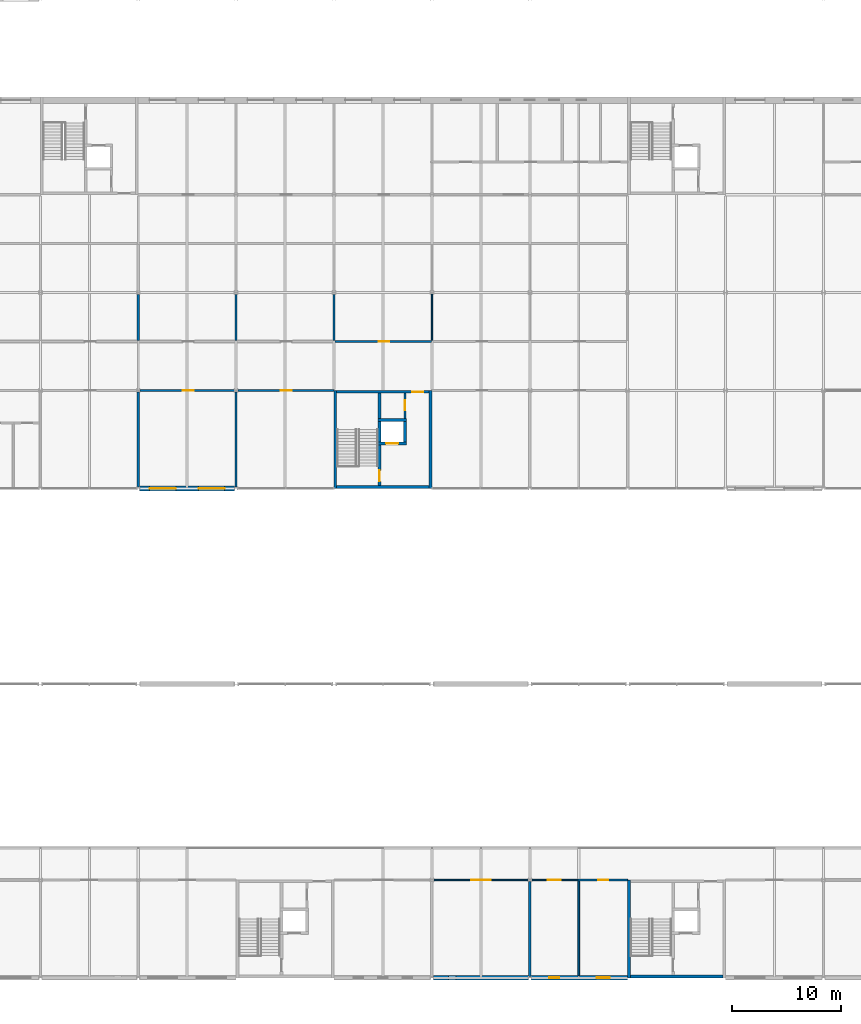
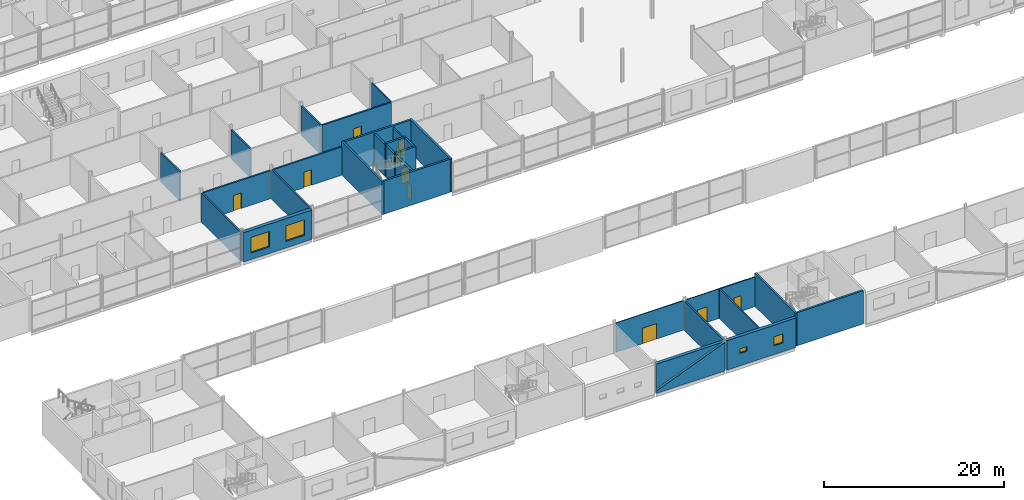
# One storey, part 68 of 97: 29 walls, 10 doors, 4 windows, 14 openings.
"""IFC4 building model written with IfcOpenShell, lengths in metres."""

from ifc_helpers import new_model, si_unit, direction, frame, frame_2d, origin, place, context, subcontext, project, spatial, polyline, rectangle, outline, extrude, material, layer, layer_set, type_object, element, fill, save


model = new_model("IFC4")

# Units and contexts
model_context = context("Model", 3, precision=1e-05, world=origin(), true_north=direction((0.0, 1.0)))
body_context = subcontext(model_context, "Body", "Model", "MODEL_VIEW")
ifc_project = project(units=[si_unit("LENGTHUNIT", "METRE"), si_unit("AREAUNIT", "SQUARE_METRE"), si_unit("VOLUMEUNIT", "CUBIC_METRE"), si_unit("PLANEANGLEUNIT", "RADIAN"), si_unit("MASSUNIT", "GRAM", prefix="KILO")], contexts=[model_context])

# Site, building, storey
site_placement = place(None, origin())
site = spatial("IfcSite", under=ifc_project, at=site_placement, CompositionType="ELEMENT")
building_placement = place(site_placement, origin())
building = spatial("IfcBuilding", under=site, at=building_placement, Name="Corbel Yard City Hall", CompositionType="ELEMENT")
storey_placement = place(building_placement, frame((0.0, 0.0, 6.0)))
storey = spatial("IfcBuildingStorey", under=building, at=storey_placement, Name="L01", CompositionType="ELEMENT", Elevation=6.0)

# Walls
ifc_material_1 = material(Name="Concrete N50 (50 MPa)", Category="concrete")
ifc_layer_1 = layer(ifc_material_1, 0.25)
ifc_layer_set_1 = layer_set([ifc_layer_1], Name="Concrete N50 (50 MPa)")
wall_type_1 = type_object("IfcWallType", Name="Core cell wall 250", PredefinedType="SHEAR", material=ifc_layer_set_1)
wall_1_placement = place(storey_placement, frame((81.125, 0.0, 0.0), z_axis=(0.0, 0.0, 1.0), x_axis=(0.0, 1.0, 0.0)))
element("IfcWall", 1, at=wall_1_placement, inside=storey, type_object=wall_type_1, Name="Core PC-S2 west wall", PredefinedType="SHEAR", context=body_context, shape_type="SweptSolid", body=[
    extrude(rectangle(XDim=9.0, YDim=0.25, at=frame_2d((4.5, 0.0))), origin(), (0.0, 0.0, 1.0), 4.5),
])
wall_2_placement = place(storey_placement, frame((81.25, 0.125, 0.0), z_axis=(0.0, 0.0, 1.0), x_axis=(1.0, 0.0, 0.0)))
element("IfcWall", 2, at=wall_2_placement, inside=storey, type_object=wall_type_1, Name="Core PC-S2 south wall", PredefinedType="SHEAR", context=body_context, shape_type="SweptSolid", body=[
    extrude(rectangle(XDim=8.5, YDim=0.25, at=frame_2d((4.25, 0.0))), origin(), (0.0, 0.0, 1.0), 4.5),
])
for number, where, z_axis, x_axis, name in (
    (3, (54.125, 45.0, 0.0), (0.0, 0.0, 1.0), (0.0, 1.0, 0.0), "Core PC-M2 west wall"),
    (4, (62.875, 45.0, 0.0), (0.0, 0.0, 1.0), (0.0, 1.0, 0.0), "Core PC-M2 east wall"),
):
    element("IfcWall", number, at=place(storey_placement, frame(where, z_axis=z_axis, x_axis=x_axis)), inside=storey, type_object=wall_type_1, Name=name, PredefinedType="SHEAR", context=body_context, shape_type="SweptSolid", body=[
        extrude(rectangle(XDim=9.0, YDim=0.25, at=frame_2d((4.5, 0.0))), origin(), (0.0, 0.0, 1.0), 4.5),
    ])
wall_3_placement = place(storey_placement, frame((54.25, 45.125, 0.0), z_axis=(0.0, 0.0, 1.0), x_axis=(1.0, 0.0, 0.0)))
element("IfcWall", 5, at=wall_3_placement, inside=storey, type_object=wall_type_1, Name="Core PC-M2 south wall", PredefinedType="SHEAR", context=body_context, shape_type="SweptSolid", body=[
    extrude(rectangle(XDim=8.5, YDim=0.25, at=frame_2d((4.25, 0.0))), origin(), (0.0, 0.0, 1.0), 4.5),
])

# Wall, opening, door
wall_4_placement = place(storey_placement, frame((54.25, 53.875, 0.0), z_axis=(0.0, 0.0, 1.0), x_axis=(1.0, 0.0, 0.0)))
wall_4 = element("IfcWall", 6, at=wall_4_placement, inside=storey, type_object=wall_type_1, Name="Core PC-M2 north wall", PredefinedType="SHEAR", context=body_context, shape_type="SweptSolid", body=[
    extrude(rectangle(XDim=8.5, YDim=0.25, at=frame_2d((4.25, 0.0))), origin(), (0.0, 0.0, 1.0), 4.5),
])
opening_1_placement = place(wall_4_placement, frame((6.949951171875, 0.0, 0.0)))
opening_1 = element("IfcOpeningElement", 7, at=opening_1_placement, cuts=wall_4, Name="Opening L01-062", PredefinedType="OPENING", context=body_context, shape_type="SweptSolid", body=[
    extrude(rectangle(XDim=1.0, YDim=2.10009765625, at=frame_2d((0.5, 1.050048828125))), frame((0.0, 0.135009765625, 0.0), z_axis=(0.0, -1.0, 0.0), x_axis=(1.0, 0.0, 0.0)), (0.0, 0.0, 1.0), 0.27001953125),
])
ifc_material_2 = material(Name="Steel Grade G250", Category="steel")
door_type_1 = type_object("IfcDoorType", Name="FS1", OperationType="SINGLE_SWING_LEFT", PredefinedType="DOOR", material=ifc_material_2)
door_1_placement = place(opening_1_placement, frame((1.0, 0.0, 0.0), z_axis=(0.0, 0.0, 1.0), x_axis=(-1.0, 0.0, 0.0)))
door_1 = element("IfcDoor", 8, at=door_1_placement, inside=storey, type_object=door_type_1, Name="Door Lift Lobby", OperationType="SINGLE_SWING_RIGHT", OverallHeight=2.10009765625, OverallWidth=1.0, PredefinedType="DOOR", context=body_context, shape_type="SweptSolid", body=[
    extrude(rectangle(XDim=1.0, YDim=2.10009765625, at=frame_2d((0.5, 1.050048828125))), frame((0.0, 0.02490234375, 0.0), z_axis=(0.0, -1.0, 0.0), x_axis=(1.0, 0.0, 0.0)), (0.0, 0.0, 1.0), 0.050048828125),
])
fill(opening_1, door_1)

# Wall, openings, windows
ifc_material_3 = material(Name="Sandstone cladding", Category="masonry")
ifc_layer_2 = layer(ifc_material_3, 0.06005859375)
ifc_material_4 = material(Name="Air cavity", Category="air")
ifc_layer_3 = layer(ifc_material_4, 0.0400390625)
ifc_material_5 = material(Name="Concrete N40 (40 MPa)", Category="concrete")
ifc_layer_4 = layer(ifc_material_5, 0.25)
ifc_material_6 = material(Name="Mineral wool", Category="insulation")
ifc_layer_5 = layer(ifc_material_6, 0.10009765625)
ifc_layer_set_2 = layer_set([ifc_layer_2, ifc_layer_3, ifc_layer_4, ifc_layer_5], Name="Concrete N40 (40 MPa)")
wall_type_2 = type_object("IfcWallType", Name="EW2", PredefinedType="SOLIDWALL", material=ifc_layer_set_2)
wall_5_placement = place(storey_placement, frame((36.1298828125, 45.0, 0.0), z_axis=(0.0, 0.0, 1.0), x_axis=(1.0, 0.0, 0.0)))
wall_5 = element("IfcWall", 9, at=wall_5_placement, inside=storey, type_object=wall_type_2, Name="Entrance pier wall", PredefinedType="SOLIDWALL", context=body_context, shape_type="SweptSolid", body=[
    extrude(rectangle(XDim=8.740234375, YDim=0.449951171875, at=frame_2d((4.3701171875, 0.0))), origin(), (0.0, 0.0, 1.0), 3.990966796875),
])
opening_2_placement = place(wall_5_placement, frame((0.919921875, 0.0, 0.89990234375)))
opening_2 = element("IfcOpeningElement", 10, at=opening_2_placement, cuts=wall_5, Name="Opening WN8", PredefinedType="OPENING", context=body_context, shape_type="SweptSolid", body=[
    extrude(rectangle(XDim=2.39990234375, YDim=2.10009765625, at=frame_2d((1.199951171875, 1.050048828125))), frame((0.0, 0.23486328125, 0.0), z_axis=(0.0, -1.0, 0.0), x_axis=(1.0, 0.0, 0.0)), (0.0, 0.0, 1.0), 0.469970703125),
])
opening_3_placement = place(wall_5_placement, frame((5.419921875, 0.0, 0.89990234375)))
opening_3 = element("IfcOpeningElement", 11, at=opening_3_placement, cuts=wall_5, Name="Opening WN8", PredefinedType="OPENING", context=body_context, shape_type="SweptSolid", body=[
    extrude(rectangle(XDim=2.39990234375, YDim=2.10009765625, at=frame_2d((1.199951171875, 1.050048828125))), frame((0.0, 0.23486328125, 0.0), z_axis=(0.0, -1.0, 0.0), x_axis=(1.0, 0.0, 0.0)), (0.0, 0.0, 1.0), 0.469970703125),
])
ifc_material_7 = material(Name="Aluminium frame, double glazed low-e glass", Category="aluminium")
window_type_1 = type_object("IfcWindowType", Name="WN8", PartitioningType="SINGLE_PANEL", PredefinedType="WINDOW", material=ifc_material_7)
window_1_placement = place(opening_2_placement, origin())
window_1 = element("IfcWindow", 12, at=window_1_placement, inside=storey, type_object=window_type_1, Name="Window WN8 L01", OverallHeight=2.10009765625, OverallWidth=2.39990234375, PartitioningType="SINGLE_PANEL", PredefinedType="WINDOW", context=body_context, shape_type="SweptSolid", body=[
    extrude(rectangle(XDim=2.39990234375, YDim=2.10009765625, at=frame_2d((1.199951171875, 1.050048828125))), frame((0.0, 0.030029296875, 0.0), z_axis=(0.0, -1.0, 0.0), x_axis=(1.0, 0.0, 0.0)), (0.0, 0.0, 1.0), 0.06005859375),
])
fill(opening_2, window_1)
window_2_placement = place(opening_3_placement, origin())
window_2 = element("IfcWindow", 13, at=window_2_placement, inside=storey, type_object=window_type_1, Name="Window WN8 L01", OverallHeight=2.10009765625, OverallWidth=2.39990234375, PartitioningType="SINGLE_PANEL", PredefinedType="WINDOW", context=body_context, shape_type="SweptSolid", body=[
    extrude(rectangle(XDim=2.39990234375, YDim=2.10009765625, at=frame_2d((1.199951171875, 1.050048828125))), frame((0.0, 0.030029296875, 0.0), z_axis=(0.0, -1.0, 0.0), x_axis=(1.0, 0.0, 0.0)), (0.0, 0.0, 1.0), 0.06005859375),
])
fill(opening_3, window_2)

# Walls
ifc_material_8 = material(Name="Gypsum plasterboard", Category="gypsum")
ifc_layer_6 = layer(ifc_material_8, 0.031982421875)
ifc_layer_7 = layer(ifc_material_4, 0.133056640625)
ifc_material_9 = material(Name="Concrete block", Category="concrete")
ifc_layer_8 = layer(ifc_material_9, 0.18994140625)
ifc_material_10 = material(Name="Cement render", Category="render")
ifc_layer_9 = layer(ifc_material_10, 0.0400390625)
ifc_material_11 = material(Name="Acoustic sealant", Category="sealant")
ifc_layer_10 = layer(ifc_material_11, 0.0048828125)
ifc_layer_set_3 = layer_set([ifc_layer_6, ifc_layer_7, ifc_layer_8, ifc_layer_9, ifc_layer_10], Name="Concrete block")
wall_type_3 = type_object("IfcWallType", Name="EW3", PredefinedType="SOLIDWALL", material=ifc_layer_set_3)
wall_6_placement = place(storey_placement, frame((63.1298828125, 0.0, 0.0), z_axis=(0.0, 0.0, 1.0), x_axis=(1.0, 0.0, 0.0)))
element("IfcWall", 14, at=wall_6_placement, inside=storey, type_object=wall_type_3, Name="Acoustic wall", PredefinedType="SOLIDWALL", context=body_context, shape_type="SweptSolid", body=[
    extrude(outline(polyline([(8.739990234375, 0.0), (0.0, 0.0), (0.0, 0.5), (0.048095703125, 0.379638671875), (8.739990234375, 3.8603515625), (8.739990234375, 0.0)])), frame((0.0, 0.199951171875, 0.0), z_axis=(0.0, -1.0, 0.0), x_axis=(1.0, 0.0, 0.0)), (0.0, 0.0, 1.0), 0.39990234375),
])
wall_7_placement = place(storey_placement, frame((63.1298828125, 0.0, 0.0), z_axis=(0.0, 0.0, 1.0), x_axis=(1.0, 0.0, 0.0)))
element("IfcWall", 15, at=wall_7_placement, inside=storey, type_object=wall_type_3, Name="Acoustic wall", PredefinedType="SOLIDWALL", context=body_context, shape_type="SweptSolid", body=[
    extrude(outline(polyline([(0.0, 3.990966796875), (8.369140625, 3.990966796875), (0.0, 0.6396484375), (0.0, 3.990966796875)])), frame((0.0, 0.199951171875, 0.0), z_axis=(0.0, -1.0, 0.0), x_axis=(1.0, 0.0, 0.0)), (0.0, 0.0, 1.0), 0.39990234375),
])

# Wall, openings, windows
wall_8_placement = place(storey_placement, frame((72.1298828125, 0.0, 0.0), z_axis=(0.0, 0.0, 1.0), x_axis=(1.0, 0.0, 0.0)))
wall_8 = element("IfcWall", 16, at=wall_8_placement, inside=storey, type_object=wall_type_3, Name="Acoustic wall", PredefinedType="SOLIDWALL", context=body_context, shape_type="SweptSolid", body=[
    extrude(rectangle(XDim=8.8701171875, YDim=0.39990234375, at=frame_2d((4.43505859375, 0.0))), origin(), (0.0, 0.0, 1.0), 3.990966796875),
])
opening_4_placement = place(wall_8_placement, frame((1.669921875, 0.0, 1.699951171875)))
opening_4 = element("IfcOpeningElement", 17, at=opening_4_placement, cuts=wall_8, Name="Opening WN10", PredefinedType="OPENING", context=body_context, shape_type="SweptSolid", body=[
    extrude(rectangle(XDim=0.89990234375, YDim=0.60009765625, at=frame_2d((0.449951171875, 0.300048828125))), frame((0.0, 0.2099609375, 0.0), z_axis=(0.0, -1.0, 0.0), x_axis=(1.0, 0.0, 0.0)), (0.0, 0.0, 1.0), 0.419921875),
])
opening_5_placement = place(wall_8_placement, frame((6.02001953125, 0.0, 1.199951171875)))
opening_5 = element("IfcOpeningElement", 18, at=opening_5_placement, cuts=wall_8, Name="Opening WN13", PredefinedType="OPENING", context=body_context, shape_type="SweptSolid", body=[
    extrude(rectangle(XDim=1.199951171875, YDim=1.199951171875, at=frame_2d((0.60009765625, 0.60009765625))), frame((0.0, 0.2099609375, 0.0), z_axis=(0.0, -1.0, 0.0), x_axis=(1.0, 0.0, 0.0)), (0.0, 0.0, 1.0), 0.419921875),
])
ifc_material_12 = material(Name="Aluminium frame, obscure laminated glass", Category="aluminium")
window_type_2 = type_object("IfcWindowType", Name="WN10", PartitioningType="SINGLE_PANEL", PredefinedType="WINDOW", material=ifc_material_12)
window_3_placement = place(opening_4_placement, origin())
window_3 = element("IfcWindow", 19, at=window_3_placement, inside=storey, type_object=window_type_2, Name="Window WN10 L01", OverallHeight=0.60009765625, OverallWidth=0.89990234375, PartitioningType="SINGLE_PANEL", PredefinedType="WINDOW", context=body_context, shape_type="SweptSolid", body=[
    extrude(rectangle(XDim=0.89990234375, YDim=0.60009765625, at=frame_2d((0.449951171875, 0.300048828125))), frame((0.0, 0.030029296875, 0.0), z_axis=(0.0, -1.0, 0.0), x_axis=(1.0, 0.0, 0.0)), (0.0, 0.0, 1.0), 0.06005859375),
])
fill(opening_4, window_3)
window_type_3 = type_object("IfcWindowType", Name="WN13", PartitioningType="SINGLE_PANEL", PredefinedType="WINDOW", material=ifc_material_7)
window_4_placement = place(opening_5_placement, origin())
window_4 = element("IfcWindow", 20, at=window_4_placement, inside=storey, type_object=window_type_3, Name="Window WN13 L01", OverallHeight=1.199951171875, OverallWidth=1.199951171875, PartitioningType="SINGLE_PANEL", PredefinedType="WINDOW", context=body_context, shape_type="SweptSolid", body=[
    extrude(rectangle(XDim=1.199951171875, YDim=1.199951171875, at=frame_2d((0.60009765625, 0.60009765625))), frame((0.0, 0.030029296875, 0.0), z_axis=(0.0, -1.0, 0.0), x_axis=(1.0, 0.0, 0.0)), (0.0, 0.0, 1.0), 0.06005859375),
])
fill(opening_5, window_4)

# Wall, opening, door
ifc_layer_11 = layer(ifc_material_5, 0.25)
ifc_layer_set_4 = layer_set([ifc_layer_11], Name="Concrete N40 (40 MPa)")
wall_type_4 = type_object("IfcWallType", Name="IW2", PredefinedType="SOLIDWALL", material=ifc_layer_set_4)
wall_9_placement = place(storey_placement, frame((58.175048828125, 45.25, 0.0), z_axis=(0.0, 0.0, 1.0), x_axis=(0.0, 1.0, 0.0)))
wall_9 = element("IfcWall", 21, at=wall_9_placement, inside=storey, type_object=wall_type_4, Name="Stair enclosure wall", PredefinedType="SOLIDWALL", context=body_context, shape_type="SweptSolid", body=[
    extrude(rectangle(XDim=8.5, YDim=0.25, at=frame_2d((4.25, 0.0))), origin(), (0.0, 0.0, 1.0), 4.25),
])
opening_6_placement = place(wall_9_placement, frame((0.39990234375, 0.0, 0.0)))
opening_6 = element("IfcOpeningElement", 22, at=opening_6_placement, cuts=wall_9, Name="Opening L01-061", PredefinedType="OPENING", context=body_context, shape_type="SweptSolid", body=[
    extrude(rectangle(XDim=1.0, YDim=2.10009765625, at=frame_2d((0.5, 1.050048828125))), frame((0.0, 0.135009765625, 0.0), z_axis=(0.0, -1.0, 0.0), x_axis=(1.0, 0.0, 0.0)), (0.0, 0.0, 1.0), 0.27001953125),
])
door_2_placement = place(opening_6_placement, origin())
door_2 = element("IfcDoor", 23, at=door_2_placement, inside=storey, type_object=door_type_1, Name="Door Exit Stair 9", OperationType="SINGLE_SWING_LEFT", OverallHeight=2.10009765625, OverallWidth=1.0, PredefinedType="DOOR", context=body_context, shape_type="SweptSolid", body=[
    extrude(rectangle(XDim=1.0, YDim=2.10009765625, at=frame_2d((0.5, 1.050048828125))), frame((0.0, 0.02490234375, 0.0), z_axis=(0.0, -1.0, 0.0), x_axis=(1.0, 0.0, 0.0)), (0.0, 0.0, 1.0), 0.050048828125),
])
fill(opening_6, door_2)

wall_10_placement = place(storey_placement, frame((58.050048828125, 49.125, 0.0), z_axis=(0.0, 0.0, 1.0), x_axis=(1.0, 0.0, 0.0)))
wall_10 = element("IfcWall", 24, at=wall_10_placement, inside=storey, type_object=wall_type_4, Name="Lift LP9 shaft wall", PredefinedType="SOLIDWALL", context=body_context, shape_type="SweptSolid", body=[
    extrude(rectangle(XDim=2.599853515625, YDim=0.25, at=frame_2d((1.2998046875, 0.0))), origin(), (0.0, 0.0, 1.0), 4.5),
])
opening_7_placement = place(wall_10_placement, frame((0.75, 0.0, 0.0)))
opening_7 = element("IfcOpeningElement", 25, at=opening_7_placement, cuts=wall_10, Name="Opening L01-051", PredefinedType="OPENING", context=body_context, shape_type="SweptSolid", body=[
    extrude(rectangle(XDim=1.10009765625, YDim=2.10009765625, at=frame_2d((0.550048828125, 1.050048828125))), frame((0.0, 0.135009765625, 0.0), z_axis=(0.0, -1.0, 0.0), x_axis=(1.0, 0.0, 0.0)), (0.0, 0.0, 1.0), 0.27001953125),
])
ifc_material_13 = material(Name="Stainless steel Grade 316", Category="steel")
door_type_2 = type_object("IfcDoorType", Name="LD1", OperationType="DOUBLE_DOOR_SLIDING", PredefinedType="DOOR", material=ifc_material_13)
door_3_placement = place(opening_7_placement, origin())
door_3 = element("IfcDoor", 26, at=door_3_placement, inside=storey, type_object=door_type_2, Name="Lift LP9 landing door", OperationType="DOUBLE_DOOR_SLIDING", OverallHeight=2.10009765625, OverallWidth=1.10009765625, PredefinedType="DOOR", context=body_context, shape_type="SweptSolid", body=[
    extrude(rectangle(XDim=1.10009765625, YDim=2.10009765625, at=frame_2d((0.550048828125, 1.050048828125))), frame((0.0, 0.02490234375, 0.0), z_axis=(0.0, -1.0, 0.0), x_axis=(1.0, 0.0, 0.0)), (0.0, 0.0, 1.0), 0.050048828125),
])
fill(opening_7, door_3)

# Walls
wall_11_placement = place(storey_placement, frame((58.050048828125, 51.27490234375, 0.0), z_axis=(0.0, 0.0, 1.0), x_axis=(1.0, 0.0, 0.0)))
element("IfcWall", 27, at=wall_11_placement, inside=storey, type_object=wall_type_4, Name="Lift LP9 shaft wall", PredefinedType="SOLIDWALL", context=body_context, shape_type="SweptSolid", body=[
    extrude(rectangle(XDim=2.599853515625, YDim=0.25, at=frame_2d((1.2998046875, 0.0))), origin(), (0.0, 0.0, 1.0), 4.5),
])
wall_12_placement = place(storey_placement, frame((60.52490234375, 49.25, 0.0), z_axis=(0.0, 0.0, 1.0), x_axis=(0.0, 1.0, 0.0)))
element("IfcWall", 28, at=wall_12_placement, inside=storey, type_object=wall_type_4, Name="Lift LP9 shaft wall", PredefinedType="SOLIDWALL", context=body_context, shape_type="SweptSolid", body=[
    extrude(rectangle(XDim=1.89990234375, YDim=0.25, at=frame_2d((0.949951171875, 0.0))), origin(), (0.0, 0.0, 1.0), 4.5),
])

# Wall, opening, door
ifc_layer_12 = layer(ifc_material_8, 0.028076171875)
ifc_material_14 = material(Name="Steel Grade G550 (550 MPa yield)", Category="steel")
ifc_layer_13 = layer(ifc_material_14, 0.06396484375)
ifc_layer_14 = layer(ifc_material_8, 0.028076171875)
ifc_layer_set_5 = layer_set([ifc_layer_12, ifc_layer_13, ifc_layer_14], Name="Steel Grade G550 (550 MPa yield)")
wall_type_5 = type_object("IfcWallType", Name="PT1", PredefinedType="PARTITIONING", material=ifc_layer_set_5)
wall_13_placement = place(storey_placement, frame((63.157470703125, 9.0, 0.0), z_axis=(0.0, 0.0, 1.0), x_axis=(1.0, 0.0, 0.0)))
wall_13 = element("IfcWall", 29, at=wall_13_placement, inside=storey, type_object=wall_type_5, Name="Partition", PredefinedType="PARTITIONING", context=body_context, shape_type="SweptSolid", body=[
    extrude(rectangle(XDim=8.68505859375, YDim=0.1201171875, at=frame_2d((4.342529296875, 0.0))), origin(), (0.0, 0.0, 1.0), 3.990966796875),
])
opening_8_placement = place(wall_13_placement, frame((3.4423828125, 0.0, 0.0)))
opening_8 = element("IfcOpeningElement", 30, at=opening_8_placement, cuts=wall_13, Name="Opening L01-037", PredefinedType="OPENING", context=body_context, shape_type="SweptSolid", body=[
    extrude(rectangle(XDim=1.800048828125, YDim=2.10009765625, at=frame_2d((0.89990234375, 1.050048828125))), frame((0.0, 0.070068359375, 0.0), z_axis=(0.0, -1.0, 0.0), x_axis=(1.0, 0.0, 0.0)), (0.0, 0.0, 1.0), 0.14013671875),
])
ifc_material_15 = material(Name="Timber", Category="wood")
door_type_3 = type_object("IfcDoorType", Name="D3", OperationType="DOUBLE_DOOR_SINGLE_SWING", PredefinedType="DOOR", material=ifc_material_15)
door_4_placement = place(opening_8_placement, origin())
door_4 = element("IfcDoor", 31, at=door_4_placement, inside=storey, type_object=door_type_3, Name="Door Men's WC Block", OperationType="DOUBLE_DOOR_SINGLE_SWING", OverallHeight=2.10009765625, OverallWidth=1.800048828125, PredefinedType="DOOR", context=body_context, shape_type="SweptSolid", body=[
    extrude(rectangle(XDim=1.800048828125, YDim=2.10009765625, at=frame_2d((0.89990234375, 1.050048828125))), frame((0.0, 0.02490234375, 0.0), z_axis=(0.0, -1.0, 0.0), x_axis=(1.0, 0.0, 0.0)), (0.0, 0.0, 1.0), 0.050048828125),
])
fill(opening_8, door_4)

wall_14_placement = place(storey_placement, frame((72.157470703125, 9.0, 0.0), z_axis=(0.0, 0.0, 1.0), x_axis=(1.0, 0.0, 0.0)))
wall_14 = element("IfcWall", 32, at=wall_14_placement, inside=storey, type_object=wall_type_5, Name="Partition", PredefinedType="PARTITIONING", context=body_context, shape_type="SweptSolid", body=[
    extrude(rectangle(XDim=4.262451171875, YDim=0.1201171875, at=frame_2d((2.13134765625, 0.0))), origin(), (0.0, 0.0, 1.0), 3.990966796875),
])
opening_9_placement = place(wall_14_placement, frame((1.492431640625, 0.0, 0.0)))
opening_9 = element("IfcOpeningElement", 33, at=opening_9_placement, cuts=wall_14, Name="Opening L01-038", PredefinedType="OPENING", context=body_context, shape_type="SweptSolid", body=[
    extrude(rectangle(XDim=1.199951171875, YDim=2.10009765625, at=frame_2d((0.60009765625, 1.050048828125))), frame((0.0, 0.070068359375, 0.0), z_axis=(0.0, -1.0, 0.0), x_axis=(1.0, 0.0, 0.0)), (0.0, 0.0, 1.0), 0.14013671875),
])
door_type_4 = type_object("IfcDoorType", Name="D7", OperationType="SINGLE_SWING_LEFT", PredefinedType="DOOR", material=ifc_material_15)
door_5_placement = place(opening_9_placement, frame((1.199951171875, 0.0, 0.0), z_axis=(0.0, 0.0, 1.0), x_axis=(-1.0, 0.0, 0.0)))
door_5 = element("IfcDoor", 34, at=door_5_placement, inside=storey, type_object=door_type_4, Name="Door Accessible WC Suite", OperationType="SINGLE_SWING_RIGHT", OverallHeight=2.10009765625, OverallWidth=1.199951171875, PredefinedType="DOOR", context=body_context, shape_type="SweptSolid", body=[
    extrude(rectangle(XDim=1.199951171875, YDim=2.10009765625, at=frame_2d((0.60009765625, 1.050048828125))), frame((0.0, 0.02490234375, 0.0), z_axis=(0.0, -1.0, 0.0), x_axis=(1.0, 0.0, 0.0)), (0.0, 0.0, 1.0), 0.050048828125),
])
fill(opening_9, door_5)

# Wall
wall_15_placement = place(storey_placement, frame((63.0, 58.60009765625, 0.0), z_axis=(0.0, 0.0, 1.0), x_axis=(0.0, 1.0, 0.0)))
element("IfcWall", 35, at=wall_15_placement, inside=storey, type_object=wall_type_5, Name="Partition", PredefinedType="PARTITIONING", context=body_context, shape_type="SweptSolid", body=[
    extrude(rectangle(XDim=4.242431640625, YDim=0.1201171875, at=frame_2d((2.12109375, 0.0))), origin(), (0.0, 0.0, 1.0), 3.993896484375),
])

# Wall, opening, door
ifc_layer_15 = layer(ifc_material_8, 0.031982421875)
ifc_layer_16 = layer(ifc_material_14, 0.135986328125)
ifc_layer_17 = layer(ifc_material_8, 0.031982421875)
ifc_layer_set_6 = layer_set([ifc_layer_15, ifc_layer_16, ifc_layer_17], Name="Steel Grade G550 (550 MPa yield)")
wall_type_6 = type_object("IfcWallType", Name="PT2", PredefinedType="PARTITIONING", material=ifc_layer_set_6)
wall_16_placement = place(storey_placement, frame((36.157470703125, 54.0, 0.0), z_axis=(0.0, 0.0, 1.0), x_axis=(1.0, 0.0, 0.0)))
wall_16 = element("IfcWall", 36, at=wall_16_placement, inside=storey, type_object=wall_type_6, Name="Acoustic wall", PredefinedType="PARTITIONING", context=body_context, shape_type="SweptSolid", body=[
    extrude(rectangle(XDim=8.68505859375, YDim=0.199951171875, at=frame_2d((4.342529296875, 0.0))), origin(), (0.0, 0.0, 1.0), 3.822021484375),
])
opening_10_placement = place(wall_16_placement, frame((3.9423828125, 0.0, 0.0)))
opening_10 = element("IfcOpeningElement", 37, at=opening_10_placement, cuts=wall_16, Name="Opening L01-073", PredefinedType="OPENING", context=body_context, shape_type="SweptSolid", body=[
    extrude(rectangle(XDim=1.0, YDim=2.10009765625, at=frame_2d((0.5, 1.050048828125))), frame((0.0, 0.10986328125, 0.0), z_axis=(0.0, -1.0, 0.0), x_axis=(1.0, 0.0, 0.0)), (0.0, 0.0, 1.0), 0.219970703125),
])
door_type_5 = type_object("IfcDoorType", Name="D1", OperationType="SINGLE_SWING_LEFT", PredefinedType="DOOR", material=ifc_material_15)
door_6_placement = place(opening_10_placement, frame((1.0, 0.0, 0.0), z_axis=(0.0, 0.0, 1.0), x_axis=(-1.0, 0.0, 0.0)))
door_6 = element("IfcDoor", 38, at=door_6_placement, inside=storey, type_object=door_type_5, Name="Door Committee Room 9", OperationType="SINGLE_SWING_LEFT", OverallHeight=2.10009765625, OverallWidth=1.0, PredefinedType="DOOR", context=body_context, shape_type="SweptSolid", body=[
    extrude(rectangle(XDim=1.0, YDim=2.10009765625, at=frame_2d((0.5, 1.050048828125))), frame((0.0, 0.02490234375, 0.0), z_axis=(0.0, -1.0, 0.0), x_axis=(1.0, 0.0, 0.0)), (0.0, 0.0, 1.0), 0.050048828125),
])
fill(opening_10, door_6)

wall_17_placement = place(storey_placement, frame((45.157470703125, 54.0, 0.0), z_axis=(0.0, 0.0, 1.0), x_axis=(1.0, 0.0, 0.0)))
wall_17 = element("IfcWall", 39, at=wall_17_placement, inside=storey, type_object=wall_type_6, Name="Acoustic wall", PredefinedType="PARTITIONING", context=body_context, shape_type="SweptSolid", body=[
    extrude(rectangle(XDim=8.842529296875, YDim=0.199951171875, at=frame_2d((4.42138671875, 0.0))), origin(), (0.0, 0.0, 1.0), 3.822021484375),
])
opening_11_placement = place(wall_17_placement, frame((3.9423828125, 0.0, 0.0)))
opening_11 = element("IfcOpeningElement", 40, at=opening_11_placement, cuts=wall_17, Name="Opening L01-074", PredefinedType="OPENING", context=body_context, shape_type="SweptSolid", body=[
    extrude(rectangle(XDim=1.0, YDim=2.10009765625, at=frame_2d((0.5, 1.050048828125))), frame((0.0, 0.10986328125, 0.0), z_axis=(0.0, -1.0, 0.0), x_axis=(1.0, 0.0, 0.0)), (0.0, 0.0, 1.0), 0.219970703125),
])
door_7_placement = place(opening_11_placement, frame((1.0, 0.0, 0.0), z_axis=(0.0, 0.0, 1.0), x_axis=(-1.0, 0.0, 0.0)))
door_7 = element("IfcDoor", 41, at=door_7_placement, inside=storey, type_object=door_type_5, Name="Door Committee Room 10", OperationType="SINGLE_SWING_LEFT", OverallHeight=2.10009765625, OverallWidth=1.0, PredefinedType="DOOR", context=body_context, shape_type="SweptSolid", body=[
    extrude(rectangle(XDim=1.0, YDim=2.10009765625, at=frame_2d((0.5, 1.050048828125))), frame((0.0, 0.02490234375, 0.0), z_axis=(0.0, -1.0, 0.0), x_axis=(1.0, 0.0, 0.0)), (0.0, 0.0, 1.0), 0.050048828125),
])
fill(opening_11, door_7)

wall_18_placement = place(storey_placement, frame((54.10009765625, 58.5, 0.0), z_axis=(0.0, 0.0, 1.0), x_axis=(1.0, 0.0, 0.0)))
wall_18 = element("IfcWall", 42, at=wall_18_placement, inside=storey, type_object=wall_type_6, Name="Acoustic wall", PredefinedType="PARTITIONING", context=body_context, shape_type="SweptSolid", body=[
    extrude(rectangle(XDim=8.83984375, YDim=0.199951171875, at=frame_2d((4.419921875, 0.0))), origin(), (0.0, 0.0, 1.0), 3.993896484375),
])
opening_12_placement = place(wall_18_placement, frame((4.0, 0.0, 0.0)))
opening_12 = element("IfcOpeningElement", 43, at=opening_12_placement, cuts=wall_18, Name="Opening L01-083", PredefinedType="OPENING", context=body_context, shape_type="SweptSolid", body=[
    extrude(rectangle(XDim=1.0, YDim=2.10009765625, at=frame_2d((0.5, 1.050048828125))), frame((0.0, 0.10986328125, 0.0), z_axis=(0.0, -1.0, 0.0), x_axis=(1.0, 0.0, 0.0)), (0.0, 0.0, 1.0), 0.219970703125),
])
door_8_placement = place(opening_12_placement, origin())
door_8 = element("IfcDoor", 44, at=door_8_placement, inside=storey, type_object=door_type_5, Name="Door Mayoral Support Office", OperationType="SINGLE_SWING_RIGHT", OverallHeight=2.10009765625, OverallWidth=1.0, PredefinedType="DOOR", context=body_context, shape_type="SweptSolid", body=[
    extrude(rectangle(XDim=1.0, YDim=2.10009765625, at=frame_2d((0.5, 1.050048828125))), frame((0.0, 0.02490234375, 0.0), z_axis=(0.0, -1.0, 0.0), x_axis=(1.0, 0.0, 0.0)), (0.0, 0.0, 1.0), 0.050048828125),
])
fill(opening_12, door_8)

# Walls
wall_19_placement = place(storey_placement, frame((36.0, 45.1298828125, 0.0), z_axis=(0.0, 0.0, 1.0), x_axis=(0.0, 1.0, 0.0)))
element("IfcWall", 45, at=wall_19_placement, inside=storey, type_object=wall_type_6, Name="Acoustic wall", PredefinedType="PARTITIONING", context=body_context, shape_type="SweptSolid", body=[
    extrude(rectangle(XDim=8.712646484375, YDim=0.199951171875, at=frame_2d((4.3564453125, 0.0))), origin(), (0.0, 0.0, 1.0), 3.947021484375),
])
wall_20_placement = place(storey_placement, frame((36.0, 58.60009765625, 0.0), z_axis=(0.0, 0.0, 1.0), x_axis=(0.0, 1.0, 0.0)))
element("IfcWall", 46, at=wall_20_placement, inside=storey, type_object=wall_type_6, Name="Acoustic wall", PredefinedType="PARTITIONING", context=body_context, shape_type="SweptSolid", body=[
    extrude(rectangle(XDim=4.242431640625, YDim=0.199951171875, at=frame_2d((2.12109375, 0.0))), origin(), (0.0, 0.0, 1.0), 3.947021484375),
])
wall_21_placement = place(storey_placement, frame((45.0, 45.1298828125, 0.0), z_axis=(0.0, 0.0, 1.0), x_axis=(0.0, 1.0, 0.0)))
element("IfcWall", 47, at=wall_21_placement, inside=storey, type_object=wall_type_6, Name="Acoustic wall", PredefinedType="PARTITIONING", context=body_context, shape_type="SweptSolid", body=[
    extrude(rectangle(XDim=8.712646484375, YDim=0.199951171875, at=frame_2d((4.3564453125, 0.0))), origin(), (0.0, 0.0, 1.0), 3.947021484375),
])
wall_22_placement = place(storey_placement, frame((45.0, 58.60009765625, 0.0), z_axis=(0.0, 0.0, 1.0), x_axis=(0.0, 1.0, 0.0)))
element("IfcWall", 48, at=wall_22_placement, inside=storey, type_object=wall_type_6, Name="Acoustic wall", PredefinedType="PARTITIONING", context=body_context, shape_type="SweptSolid", body=[
    extrude(rectangle(XDim=4.242431640625, YDim=0.199951171875, at=frame_2d((2.12109375, 0.0))), origin(), (0.0, 0.0, 1.0), 3.947021484375),
])
wall_23_placement = place(storey_placement, frame((54.0, 58.60009765625, 0.0), z_axis=(0.0, 0.0, 1.0), x_axis=(0.0, 1.0, 0.0)))
element("IfcWall", 49, at=wall_23_placement, inside=storey, type_object=wall_type_6, Name="Acoustic wall", PredefinedType="PARTITIONING", context=body_context, shape_type="SweptSolid", body=[
    extrude(rectangle(XDim=4.242431640625, YDim=0.199951171875, at=frame_2d((2.12109375, 0.0))), origin(), (0.0, 0.0, 1.0), 3.993896484375),
])

# Wall, opening, door
ifc_layer_18 = layer(ifc_material_8, 0.031982421875)
ifc_layer_19 = layer(ifc_material_14, 0.095947265625)
ifc_layer_20 = layer(ifc_material_8, 0.031982421875)
ifc_layer_set_7 = layer_set([ifc_layer_18, ifc_layer_19, ifc_layer_20], Name="Steel Grade G550 (550 MPa yield)")
wall_type_7 = type_object("IfcWallType", Name="PT3", PredefinedType="PARTITIONING", material=ifc_layer_set_7)
wall_24_placement = place(storey_placement, frame((76.419921875, 9.0, 0.0), z_axis=(0.0, 0.0, 1.0), x_axis=(1.0, 0.0, 0.0)))
wall_24 = element("IfcWall", 50, at=wall_24_placement, inside=storey, type_object=wall_type_7, Name="Fire-resisting wall", PredefinedType="PARTITIONING", context=body_context, shape_type="SweptSolid", body=[
    extrude(rectangle(XDim=4.580078125, YDim=0.159912109375, at=frame_2d((2.2900390625, 0.0))), origin(), (0.0, 0.0, 1.0), 3.990966796875),
])
opening_13_placement = place(wall_24_placement, frame((1.8701171875, 0.0, 0.0)))
opening_13 = element("IfcOpeningElement", 51, at=opening_13_placement, cuts=wall_24, Name="Opening L01-039", PredefinedType="OPENING", context=body_context, shape_type="SweptSolid", body=[
    extrude(rectangle(XDim=0.919921875, YDim=2.10009765625, at=frame_2d((0.4599609375, 1.050048828125))), frame((0.0, 0.08984375, 0.0), z_axis=(0.0, -1.0, 0.0), x_axis=(1.0, 0.0, 0.0)), (0.0, 0.0, 1.0), 0.179931640625),
])
door_type_6 = type_object("IfcDoorType", Name="FD5", OperationType="SINGLE_SWING_RIGHT", PredefinedType="DOOR", material=ifc_material_2)
door_9_placement = place(opening_13_placement, frame((0.919921875, 0.0, 0.0), z_axis=(0.0, 0.0, 1.0), x_axis=(-1.0, 0.0, 0.0)))
door_9 = element("IfcDoor", 52, at=door_9_placement, inside=storey, type_object=door_type_6, Name="Door Cleaners' Store and Service Room", OperationType="SINGLE_SWING_RIGHT", OverallHeight=2.10009765625, OverallWidth=0.919921875, PredefinedType="DOOR", context=body_context, shape_type="SweptSolid", body=[
    extrude(rectangle(XDim=0.919921875, YDim=2.10009765625, at=frame_2d((0.4599609375, 1.050048828125))), frame((0.0, 0.02490234375, 0.0), z_axis=(0.0, -1.0, 0.0), x_axis=(1.0, 0.0, 0.0)), (0.0, 0.0, 1.0), 0.050048828125),
])
fill(opening_13, door_9)

# Wall
wall_25_placement = place(storey_placement, frame((76.5, 0.199951171875, 0.0), z_axis=(0.0, 0.0, 1.0), x_axis=(0.0, 1.0, 0.0)))
element("IfcWall", 53, at=wall_25_placement, inside=storey, type_object=wall_type_7, Name="Fire-resisting wall", PredefinedType="PARTITIONING", context=body_context, shape_type="SweptSolid", body=[
    extrude(rectangle(XDim=8.719970703125, YDim=0.159912109375, at=frame_2d((4.35986328125, 0.0))), origin(), (0.0, 0.0, 1.0), 3.990966796875),
])

# Wall, opening, door
ifc_material_16 = material(Name="Concrete block", Category="concrete")
ifc_layer_21 = layer(ifc_material_16, 0.18994140625)
ifc_layer_set_8 = layer_set([ifc_layer_21], Name="Concrete block")
wall_type_8 = type_object("IfcWallType", Name="PT4", PredefinedType="PARTITIONING", material=ifc_layer_set_8)
wall_26_placement = place(storey_placement, frame((60.52490234375, 51.39990234375, 0.0), z_axis=(0.0, 0.0, 1.0), x_axis=(0.0, 1.0, 0.0)))
wall_26 = element("IfcWall", 54, at=wall_26_placement, inside=storey, type_object=wall_type_8, Name="Fire-resisting block wall", PredefinedType="PARTITIONING", context=body_context, shape_type="SweptSolid", body=[
    extrude(rectangle(XDim=2.35009765625, YDim=0.18994140625, at=frame_2d((1.175048828125, 0.0))), origin(), (0.0, 0.0, 1.0), 4.25),
])
opening_14_placement = place(wall_26_placement, frame((0.777587890625, 0.0, 0.0)))
opening_14 = element("IfcOpeningElement", 55, at=opening_14_placement, cuts=wall_26, Name="Opening L01-063", PredefinedType="OPENING", context=body_context, shape_type="SweptSolid", body=[
    extrude(rectangle(XDim=0.919921875, YDim=2.10009765625, at=frame_2d((0.4599609375, 1.050048828125))), frame((0.0, 0.10498046875, 0.0), z_axis=(0.0, -1.0, 0.0), x_axis=(1.0, 0.0, 0.0)), (0.0, 0.0, 1.0), 0.2099609375),
])
door_type_7 = type_object("IfcDoorType", Name="FS5", OperationType="SINGLE_SWING_RIGHT", PredefinedType="DOOR", material=ifc_material_2)
door_10_placement = place(opening_14_placement, origin())
door_10 = element("IfcDoor", 56, at=door_10_placement, inside=storey, type_object=door_type_7, Name="Door Service Riser", OperationType="SINGLE_SWING_RIGHT", OverallHeight=2.10009765625, OverallWidth=0.919921875, PredefinedType="DOOR", context=body_context, shape_type="SweptSolid", body=[
    extrude(rectangle(XDim=0.919921875, YDim=2.10009765625, at=frame_2d((0.4599609375, 1.050048828125))), frame((0.0, 0.02490234375, 0.0), z_axis=(0.0, -1.0, 0.0), x_axis=(1.0, 0.0, 0.0)), (0.0, 0.0, 1.0), 0.050048828125),
])
fill(opening_14, door_10)

# Wall
ifc_layer_22 = layer(ifc_material_8, 0.031982421875)
ifc_layer_23 = layer(ifc_material_14, 0.156005859375)
ifc_layer_24 = layer(ifc_material_8, 0.031982421875)
ifc_layer_set_9 = layer_set([ifc_layer_22, ifc_layer_23, ifc_layer_24], Name="Steel Grade G550 (550 MPa yield)")
wall_type_9 = type_object("IfcWallType", Name="PT5", PredefinedType="PLUMBINGWALL", material=ifc_layer_set_9)
wall_27_placement = place(storey_placement, frame((72.0, 0.1298828125, 0.0), z_axis=(0.0, 0.0, 1.0), x_axis=(0.0, 1.0, 0.0)))
element("IfcWall", 57, at=wall_27_placement, inside=storey, type_object=wall_type_9, Name="Wet wall", PredefinedType="PLUMBINGWALL", context=body_context, shape_type="SweptSolid", body=[
    extrude(rectangle(XDim=8.712646484375, YDim=0.219970703125, at=frame_2d((4.3564453125, 0.0))), origin(), (0.0, 0.0, 1.0), 3.947021484375),
])

save(model, "model.ifc")
